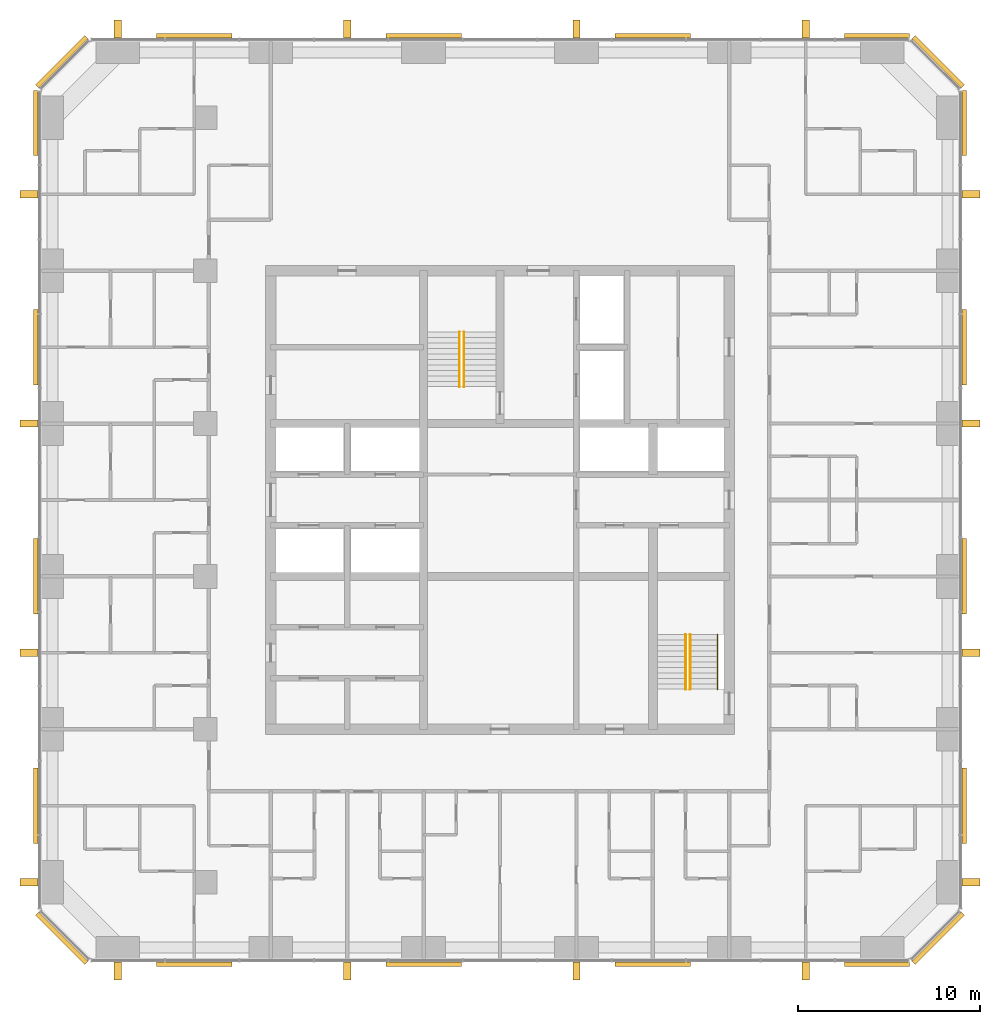
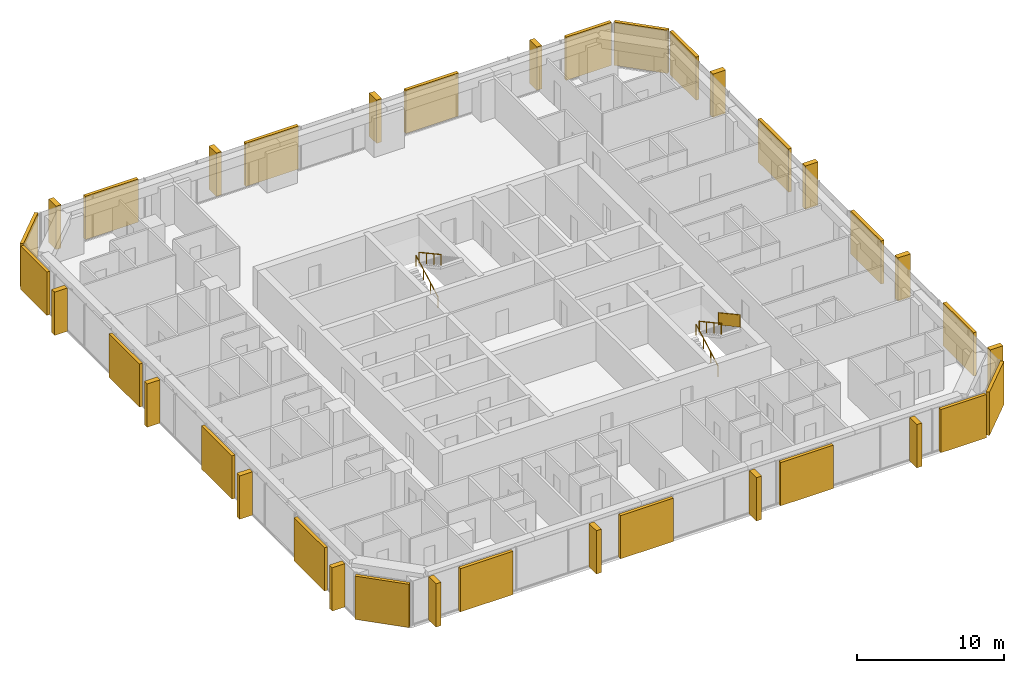
# One storey, part 14 of 14: 20 coverings, 16 shading devices, 5 railings.
"""IFC4 building model written with IfcOpenShell, lengths in metres."""

from ifc_helpers import new_model, si_unit, direction, frame, origin, origin_2d, place, context, subcontext, project, spatial, polyline, rectangle, circle, outline, extrude, material, layer, layer_set, type_object, element, save


model = new_model("IFC4")

# Units and contexts
model_context = context("Model", 3, precision=1e-05, world=origin(), true_north=direction((0.0, 1.0)))
body_context = subcontext(model_context, "Body", "Model", "MODEL_VIEW")
ifc_project = project(units=[si_unit("LENGTHUNIT", "METRE"), si_unit("AREAUNIT", "SQUARE_METRE"), si_unit("VOLUMEUNIT", "CUBIC_METRE"), si_unit("PLANEANGLEUNIT", "RADIAN"), si_unit("MASSUNIT", "GRAM", prefix="KILO")], contexts=[model_context])

# Site, building, storey
site_placement = place(None, origin())
site = spatial("IfcSite", under=ifc_project, at=site_placement, CompositionType="ELEMENT")
building_placement = place(site_placement, origin())
building = spatial("IfcBuilding", under=site, at=building_placement, Name="Dunama Terrace Hotel", CompositionType="ELEMENT")
storey_placement = place(building_placement, frame((0.0, 0.0, 198.60009765625)))
storey = spatial("IfcBuildingStorey", under=building, at=storey_placement, Name="L51", CompositionType="ELEMENT", Elevation=198.60009765625)

# Railings
ifc_material_1 = material(Name="Stainless steel and laminated glass guard", Category="steel")
railing_type_1 = type_object("IfcRailingType", Name="Guard 1100", PredefinedType="GUARDRAIL", material=ifc_material_1)
railing_1_placement = place(storey_placement, frame((41.35009765625, 22.0, 1.963623046875)))
element("IfcRailing", 1, at=railing_1_placement, inside=storey, type_object=railing_type_1, Name="Stair guard ST2 L51", PredefinedType="GUARDRAIL", context=body_context, shape_type="SweptSolid", body=[
    extrude(circle(Radius=0.02392578125, at=origin_2d()), frame((0.0, 0.0, 1.076171875), z_axis=(0.0, -0.877911954615, 0.47882209634), x_axis=(1.0, 0.0, 0.0)), (0.0, 0.0, 1.0), 3.417236328125),
    extrude(circle(Radius=0.02099609375, at=origin_2d()), origin(), (0.0, 0.0, 1.0), 1.052001953125),
    extrude(circle(Radius=0.02099609375, at=origin_2d()), frame((0.0, -1.0, 0.54541015625)), (0.0, 0.0, 1.0), 1.052001953125),
    extrude(circle(Radius=0.02099609375, at=origin_2d()), frame((0.0, -2.0, 1.0908203125)), (0.0, 0.0, 1.0), 1.052001953125),
    extrude(circle(Radius=0.02099609375, at=origin_2d()), frame((0.0, -3.0, 1.63623046875)), (0.0, 0.0, 1.0), 1.052001953125),
    extrude(outline(polyline([(0.0048828125, 0.052734375), (0.9951171875, 0.5927734375), (0.9951171875, 1.618896484375), (0.0048828125, 1.07861328125), (0.0048828125, 0.052734375)])), frame((0.0087890625, 0.0, 0.0), z_axis=(-1.0, 0.0, 0.0), x_axis=(0.0, -1.0, 0.0)), (0.0, 0.0, 1.0), 0.017578125),
    extrude(outline(polyline([(0.0048828125, 0.052734375), (0.9951171875, 0.5927734375), (0.9951171875, 1.618896484375), (0.0048828125, 1.07861328125), (0.0048828125, 0.052734375)])), frame((0.0087890625, -1.0, 0.54541015625), z_axis=(-1.0, 0.0, 0.0), x_axis=(0.0, -1.0, 0.0)), (0.0, 0.0, 1.0), 0.017578125),
    extrude(outline(polyline([(0.0048828125, 0.052734375), (0.9951171875, 0.5927734375), (0.9951171875, 1.618896484375), (0.0048828125, 1.07861328125), (0.0048828125, 0.052734375)])), frame((0.0087890625, -2.0, 1.0908203125), z_axis=(-1.0, 0.0, 0.0), x_axis=(0.0, -1.0, 0.0)), (0.0, 0.0, 1.0), 0.017578125),
])
ifc_material_2 = material(Name="Stainless steel handrail", Category="steel")
railing_type_2 = type_object("IfcRailingType", Name="Stair handrail 900", PredefinedType="HANDRAIL", material=ifc_material_2)
railing_2_placement = place(storey_placement, frame((27.175048828125, 35.625, 0.16357421875)))
element("IfcRailing", 2, at=railing_2_placement, inside=storey, type_object=railing_type_2, Name="Handrail ST1 L51", PredefinedType="HANDRAIL", context=body_context, shape_type="SweptSolid", body=[
    extrude(circle(Radius=0.02392578125, at=origin_2d()), frame((0.0, 0.0, 0.8759765625), z_axis=(0.0, 0.877911954615, 0.47882209634), x_axis=(-1.0, 0.0, 0.0)), (0.0, 0.0, 1.0), 3.417236328125),
    extrude(circle(Radius=0.02099609375, at=origin_2d()), origin(), (0.0, 0.0, 1.0), 0.851806640625),
    extrude(circle(Radius=0.02099609375, at=origin_2d()), frame((0.0, 1.0, 0.54541015625)), (0.0, 0.0, 1.0), 0.851806640625),
    extrude(circle(Radius=0.02099609375, at=origin_2d()), frame((0.0, 2.0, 1.0908203125)), (0.0, 0.0, 1.0), 0.851806640625),
    extrude(circle(Radius=0.02099609375, at=origin_2d()), frame((0.0, 3.0, 1.63623046875)), (0.0, 0.0, 1.0), 0.851806640625),
])
railing_3_placement = place(storey_placement, frame((27.425048828125, 38.625, 1.963623046875)))
element("IfcRailing", 3, at=railing_3_placement, inside=storey, type_object=railing_type_2, Name="Handrail ST1 L51", PredefinedType="HANDRAIL", context=body_context, shape_type="SweptSolid", body=[
    extrude(circle(Radius=0.02392578125, at=origin_2d()), frame((0.0, 0.0, 0.8759765625), z_axis=(0.0, -0.877911954615, 0.47882209634), x_axis=(1.0, 0.0, 0.0)), (0.0, 0.0, 1.0), 3.417236328125),
    extrude(circle(Radius=0.02099609375, at=origin_2d()), origin(), (0.0, 0.0, 1.0), 0.851806640625),
    extrude(circle(Radius=0.02099609375, at=origin_2d()), frame((0.0, -1.0, 0.54541015625)), (0.0, 0.0, 1.0), 0.851806640625),
    extrude(circle(Radius=0.02099609375, at=origin_2d()), frame((0.0, -2.0, 1.0908203125)), (0.0, 0.0, 1.0), 0.851806640625),
    extrude(circle(Radius=0.02099609375, at=origin_2d()), frame((0.0, -3.0, 1.63623046875)), (0.0, 0.0, 1.0), 0.851806640625),
])
railing_4_placement = place(storey_placement, frame((39.60009765625, 19.0, 0.16357421875)))
element("IfcRailing", 4, at=railing_4_placement, inside=storey, type_object=railing_type_2, Name="Handrail ST2 L51", PredefinedType="HANDRAIL", context=body_context, shape_type="SweptSolid", body=[
    extrude(circle(Radius=0.02392578125, at=origin_2d()), frame((0.0, 0.0, 0.8759765625), z_axis=(0.0, 0.877911954615, 0.47882209634), x_axis=(-1.0, 0.0, 0.0)), (0.0, 0.0, 1.0), 3.417236328125),
    extrude(circle(Radius=0.02099609375, at=origin_2d()), origin(), (0.0, 0.0, 1.0), 0.851806640625),
    extrude(circle(Radius=0.02099609375, at=origin_2d()), frame((0.0, 1.0, 0.54541015625)), (0.0, 0.0, 1.0), 0.851806640625),
    extrude(circle(Radius=0.02099609375, at=origin_2d()), frame((0.0, 2.0, 1.0908203125)), (0.0, 0.0, 1.0), 0.851806640625),
    extrude(circle(Radius=0.02099609375, at=origin_2d()), frame((0.0, 3.0, 1.63623046875)), (0.0, 0.0, 1.0), 0.851806640625),
])
railing_5_placement = place(storey_placement, frame((39.85009765625, 22.0, 1.963623046875)))
element("IfcRailing", 5, at=railing_5_placement, inside=storey, type_object=railing_type_2, Name="Handrail ST2 L51", PredefinedType="HANDRAIL", context=body_context, shape_type="SweptSolid", body=[
    extrude(circle(Radius=0.02392578125, at=origin_2d()), frame((0.0, 0.0, 0.8759765625), z_axis=(0.0, -0.877911954615, 0.47882209634), x_axis=(1.0, 0.0, 0.0)), (0.0, 0.0, 1.0), 3.417236328125),
    extrude(circle(Radius=0.02099609375, at=origin_2d()), origin(), (0.0, 0.0, 1.0), 0.851806640625),
    extrude(circle(Radius=0.02099609375, at=origin_2d()), frame((0.0, -1.0, 0.54541015625)), (0.0, 0.0, 1.0), 0.851806640625),
    extrude(circle(Radius=0.02099609375, at=origin_2d()), frame((0.0, -2.0, 1.0908203125)), (0.0, 0.0, 1.0), 0.851806640625),
    extrude(circle(Radius=0.02099609375, at=origin_2d()), frame((0.0, -3.0, 1.63623046875)), (0.0, 0.0, 1.0), 0.851806640625),
])

# Coverings
ifc_material_3 = material(Name="Warm reconstituted stone panel", Category="masonry")
ifc_layer_1 = layer(ifc_material_3, 0.25)
ifc_layer_set_1 = layer_set([ifc_layer_1], Name="Stone diagonal panel")
covering_type = type_object("IfcCoveringType", Name="Stone diagonal panel", PredefinedType="CLADDING", material=ifc_layer_set_1)
for number, where, z_axis, x_axis, name in (
    (6, (12.60009765625, 3.876953125, 0.001953125), (0.0, 0.0, 1.0), (1.0, 0.0, 0.0), "Stone diagonal panel L51"),
    (7, (25.199951171875, 3.876953125, 0.001953125), (0.0, 0.0, 1.0), (1.0, 0.0, 0.0), "Stone diagonal panel L51"),
    (8, (37.800048828125, 3.876953125, 0.001953125), (0.0, 0.0, 1.0), (1.0, 0.0, 0.0), "Stone diagonal panel L51"),
):
    element("IfcCovering", number, at=place(storey_placement, frame(where, z_axis=z_axis, x_axis=x_axis)), inside=storey, type_object=covering_type, Name=name, PredefinedType="CLADDING", context=body_context, shape_type="SweptSolid", body=[
        extrude(rectangle(XDim=4.14990234375, YDim=0.25, at=origin_2d()), origin(), (0.0, 0.0, 1.0), 3.595947265625),
    ])
covering_1_placement = place(storey_placement, frame((50.110107421875, 3.876953125, 0.001953125), z_axis=(0.0, 0.0, 1.0), x_axis=(1.0, 0.0, 0.0)))
element("IfcCovering", 9, at=covering_1_placement, inside=storey, type_object=covering_type, Name="Stone diagonal panel L51", PredefinedType="CLADDING", context=body_context, shape_type="SweptSolid", body=[
    extrude(rectangle(XDim=3.570068359375, YDim=0.25, at=origin_2d()), origin(), (0.0, 0.0, 1.0), 3.595947265625),
])
covering_2_placement = place(storey_placement, frame((53.47900390625, 5.321044921875, 0.001953125), z_axis=(0.0, 0.0, 1.0), x_axis=(0.707106781187, 0.707106781187, 0.0)))
element("IfcCovering", 10, at=covering_2_placement, inside=storey, type_object=covering_type, Name="Stone diagonal panel L51", PredefinedType="CLADDING", context=body_context, shape_type="SweptSolid", body=[
    extrude(rectangle(XDim=3.808349609375, YDim=0.25, at=origin_2d()), origin(), (0.0, 0.0, 1.0), 3.595947265625),
])
for number, where, z_axis, x_axis, name in (
    (11, (54.923095703125, 12.60009765625, 0.001953125), (0.0, 0.0, 1.0), (0.0, 1.0, 0.0), "Stone diagonal panel L51"),
    (12, (54.923095703125, 25.199951171875, 0.001953125), (0.0, 0.0, 1.0), (0.0, 1.0, 0.0), "Stone diagonal panel L51"),
    (13, (54.923095703125, 37.800048828125, 0.001953125), (0.0, 0.0, 1.0), (0.0, 1.0, 0.0), "Stone diagonal panel L51"),
):
    element("IfcCovering", number, at=place(storey_placement, frame(where, z_axis=z_axis, x_axis=x_axis)), inside=storey, type_object=covering_type, Name=name, PredefinedType="CLADDING", context=body_context, shape_type="SweptSolid", body=[
        extrude(rectangle(XDim=4.14990234375, YDim=0.25, at=origin_2d()), origin(), (0.0, 0.0, 1.0), 3.595947265625),
    ])
covering_3_placement = place(storey_placement, frame((54.923095703125, 50.110107421875, 0.001953125), z_axis=(0.0, 0.0, 1.0), x_axis=(0.0, 1.0, 0.0)))
element("IfcCovering", 14, at=covering_3_placement, inside=storey, type_object=covering_type, Name="Stone diagonal panel L51", PredefinedType="CLADDING", context=body_context, shape_type="SweptSolid", body=[
    extrude(rectangle(XDim=3.570068359375, YDim=0.25, at=origin_2d()), origin(), (0.0, 0.0, 1.0), 3.595947265625),
])
covering_4_placement = place(storey_placement, frame((53.47900390625, 53.47900390625, 0.001953125), z_axis=(0.0, 0.0, 1.0), x_axis=(-0.707106781187, 0.707106781187, 0.0)))
element("IfcCovering", 15, at=covering_4_placement, inside=storey, type_object=covering_type, Name="Stone diagonal panel L51", PredefinedType="CLADDING", context=body_context, shape_type="SweptSolid", body=[
    extrude(rectangle(XDim=3.808349609375, YDim=0.25, at=origin_2d()), origin(), (0.0, 0.0, 1.0), 3.595947265625),
])
covering_5_placement = place(storey_placement, frame((50.110107421875, 54.923095703125, 0.001953125), z_axis=(0.0, 0.0, 1.0), x_axis=(-1.0, 0.0, 0.0)))
element("IfcCovering", 16, at=covering_5_placement, inside=storey, type_object=covering_type, Name="Stone diagonal panel L51", PredefinedType="CLADDING", context=body_context, shape_type="SweptSolid", body=[
    extrude(rectangle(XDim=3.570068359375, YDim=0.25, at=origin_2d()), origin(), (0.0, 0.0, 1.0), 3.595947265625),
])
for number, where, z_axis, x_axis, name in (
    (17, (37.800048828125, 54.923095703125, 0.001953125), (0.0, 0.0, 1.0), (-1.0, 0.0, 0.0), "Stone diagonal panel L51"),
    (18, (25.199951171875, 54.923095703125, 0.001953125), (0.0, 0.0, 1.0), (-1.0, 0.0, 0.0), "Stone diagonal panel L51"),
    (19, (12.60009765625, 54.923095703125, 0.001953125), (0.0, 0.0, 1.0), (-1.0, 0.0, 0.0), "Stone diagonal panel L51"),
):
    element("IfcCovering", number, at=place(storey_placement, frame(where, z_axis=z_axis, x_axis=x_axis)), inside=storey, type_object=covering_type, Name=name, PredefinedType="CLADDING", context=body_context, shape_type="SweptSolid", body=[
        extrude(rectangle(XDim=4.14990234375, YDim=0.25, at=origin_2d()), origin(), (0.0, 0.0, 1.0), 3.595947265625),
    ])
covering_6_placement = place(storey_placement, frame((5.321044921875, 53.47900390625, 0.001953125), z_axis=(0.0, 0.0, 1.0), x_axis=(-0.707106781187, -0.707106781187, 0.0)))
element("IfcCovering", 20, at=covering_6_placement, inside=storey, type_object=covering_type, Name="Stone diagonal panel L51", PredefinedType="CLADDING", context=body_context, shape_type="SweptSolid", body=[
    extrude(rectangle(XDim=3.808349609375, YDim=0.25, at=origin_2d()), origin(), (0.0, 0.0, 1.0), 3.595947265625),
])
covering_7_placement = place(storey_placement, frame((3.876953125, 50.110107421875, 0.001953125), z_axis=(0.0, 0.0, 1.0), x_axis=(0.0, -1.0, 0.0)))
element("IfcCovering", 21, at=covering_7_placement, inside=storey, type_object=covering_type, Name="Stone diagonal panel L51", PredefinedType="CLADDING", context=body_context, shape_type="SweptSolid", body=[
    extrude(rectangle(XDim=3.570068359375, YDim=0.25, at=origin_2d()), origin(), (0.0, 0.0, 1.0), 3.595947265625),
])
for number, where, z_axis, x_axis, name in (
    (22, (3.876953125, 37.800048828125, 0.001953125), (0.0, 0.0, 1.0), (0.0, -1.0, 0.0), "Stone diagonal panel L51"),
    (23, (3.876953125, 25.199951171875, 0.001953125), (0.0, 0.0, 1.0), (0.0, -1.0, 0.0), "Stone diagonal panel L51"),
    (24, (3.876953125, 12.60009765625, 0.001953125), (0.0, 0.0, 1.0), (0.0, -1.0, 0.0), "Stone diagonal panel L51"),
):
    element("IfcCovering", number, at=place(storey_placement, frame(where, z_axis=z_axis, x_axis=x_axis)), inside=storey, type_object=covering_type, Name=name, PredefinedType="CLADDING", context=body_context, shape_type="SweptSolid", body=[
        extrude(rectangle(XDim=4.14990234375, YDim=0.25, at=origin_2d()), origin(), (0.0, 0.0, 1.0), 3.595947265625),
    ])
covering_8_placement = place(storey_placement, frame((5.321044921875, 5.321044921875, 0.001953125), z_axis=(0.0, 0.0, 1.0), x_axis=(0.707106781187, -0.707106781187, 0.0)))
element("IfcCovering", 25, at=covering_8_placement, inside=storey, type_object=covering_type, Name="Stone diagonal panel L51", PredefinedType="CLADDING", context=body_context, shape_type="SweptSolid", body=[
    extrude(rectangle(XDim=3.808349609375, YDim=0.25, at=origin_2d()), origin(), (0.0, 0.0, 1.0), 3.595947265625),
])

# Shading devices
ifc_material_4 = material(Name="Warm reconstituted stone fin", Category="masonry")
ifc_layer_2 = layer(ifc_material_4, 0.39990234375)
ifc_layer_set_2 = layer_set([ifc_layer_2], Name="Warm stone fin 400x1000")
shading_device_type = type_object("IfcShadingDeviceType", Name="Warm stone fin 400x1000", PredefinedType="USERDEFINED", material=ifc_layer_set_2)
for number, where, z_axis, x_axis, name in (
    (26, (8.39990234375, 3.52197265625, -0.000244140625), (0.0, 0.0, 1.0), (1.0, 0.0, 0.0), "Stone fin"),
    (27, (21.0, 3.52197265625, -0.000244140625), (0.0, 0.0, 1.0), (1.0, 0.0, 0.0), "Stone fin"),
    (28, (33.60009765625, 3.52197265625, -0.000244140625), (0.0, 0.0, 1.0), (1.0, 0.0, 0.0), "Stone fin"),
    (29, (46.199951171875, 3.52197265625, -0.000244140625), (0.0, 0.0, 1.0), (1.0, 0.0, 0.0), "Stone fin"),
    (30, (55.278076171875, 8.39990234375, -0.000244140625), (0.0, 0.0, 1.0), (0.0, 1.0, 0.0), "Stone fin"),
    (31, (55.278076171875, 21.0, -0.000244140625), (0.0, 0.0, 1.0), (0.0, 1.0, 0.0), "Stone fin"),
    (32, (55.278076171875, 33.60009765625, -0.000244140625), (0.0, 0.0, 1.0), (0.0, 1.0, 0.0), "Stone fin"),
    (33, (55.278076171875, 46.199951171875, -0.000244140625), (0.0, 0.0, 1.0), (0.0, 1.0, 0.0), "Stone fin"),
    (34, (46.199951171875, 55.278076171875, -0.000244140625), (0.0, 0.0, 1.0), (-1.0, 0.0, 0.0), "Stone fin"),
    (35, (33.60009765625, 55.278076171875, -0.000244140625), (0.0, 0.0, 1.0), (-1.0, 0.0, 0.0), "Stone fin"),
    (36, (21.0, 55.278076171875, -0.000244140625), (0.0, 0.0, 1.0), (-1.0, 0.0, 0.0), "Stone fin"),
    (37, (8.39990234375, 55.278076171875, -0.000244140625), (0.0, 0.0, 1.0), (-1.0, 0.0, 0.0), "Stone fin"),
    (38, (3.52197265625, 46.199951171875, -0.000244140625), (0.0, 0.0, 1.0), (0.0, -1.0, 0.0), "Stone fin"),
    (39, (3.52197265625, 33.60009765625, -0.000244140625), (0.0, 0.0, 1.0), (0.0, -1.0, 0.0), "Stone fin"),
    (40, (3.52197265625, 21.0, -0.000244140625), (0.0, 0.0, 1.0), (0.0, -1.0, 0.0), "Stone fin"),
    (41, (3.52197265625, 8.39990234375, -0.000244140625), (0.0, 0.0, 1.0), (0.0, -1.0, 0.0), "Stone fin"),
):
    element("IfcShadingDevice", number, at=place(storey_placement, frame(where, z_axis=z_axis, x_axis=x_axis)), inside=storey, type_object=shading_device_type, Name=name, ObjectType="FIN", PredefinedType="USERDEFINED", context=body_context, shape_type="SweptSolid", body=[
        extrude(rectangle(XDim=0.39990234375, YDim=1.0, at=origin_2d()), origin(), (0.0, 0.0, 1.0), 3.60009765625),
    ])

save(model, "model.ifc")
